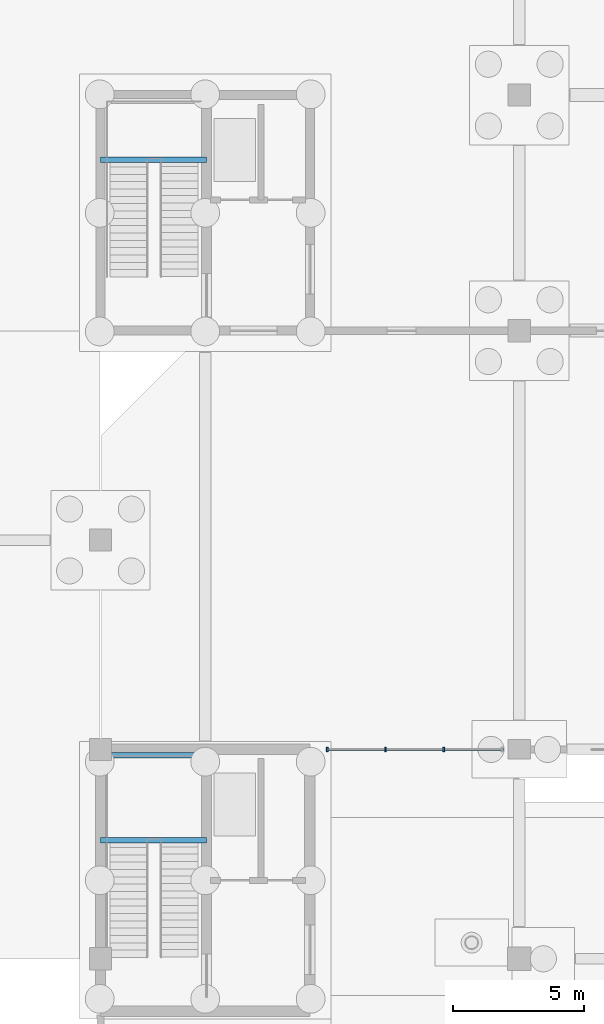
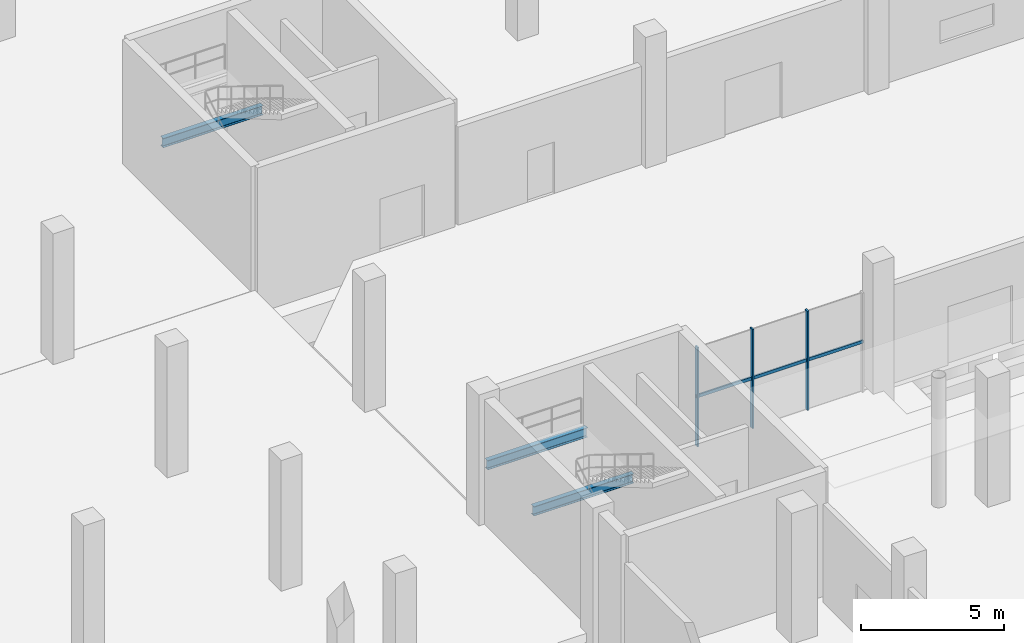
# One storey, part 42 of 98: 4 members, 3 beams, 1 element without a shape of its own.
"""IFC4 building model written with IfcOpenShell, lengths in metres."""

from ifc_helpers import new_model, si_unit, derived_unit, direction, frame, origin, origin_2d, place, context, subcontext, project, spatial, rectangle, i_section, extrude, material, layer, layer_set, material_profile, profile_set, type_object, element, aggregate, save


model = new_model("IFC4")

# Units and contexts
model_context = context("Model", 3, precision=1e-05, world=origin(), true_north=direction((0.0, 1.0)))
body_context = subcontext(model_context, "Body", "Model", "MODEL_VIEW")
ifc_project = project(units=[si_unit("LENGTHUNIT", "METRE"), si_unit("AREAUNIT", "SQUARE_METRE"), si_unit("VOLUMEUNIT", "CUBIC_METRE"), si_unit("PLANEANGLEUNIT", "RADIAN"), si_unit("MASSUNIT", "GRAM", prefix="KILO"), si_unit("THERMODYNAMICTEMPERATUREUNIT", "KELVIN"), derived_unit("THERMALTRANSMITTANCEUNIT", [(si_unit("POWERUNIT", "WATT"), 1), (si_unit("AREAUNIT", "SQUARE_METRE"), -1), (si_unit("THERMODYNAMICTEMPERATUREUNIT", "KELVIN"), -1)])], contexts=[model_context])

# Site, building, storey
site_placement = place(None, origin())
site = spatial("IfcSite", under=ifc_project, at=site_placement, CompositionType="ELEMENT")
building_placement = place(site_placement, origin())
building = spatial("IfcBuilding", under=site, at=building_placement, Name="Haiyu Intermodal Mobility Hub", CompositionType="ELEMENT")
storey_placement = place(building_placement, origin())
storey = spatial("IfcBuildingStorey", under=building, at=storey_placement, Name="L00", CompositionType="ELEMENT", Elevation=0.0)

# Beams
ifc_material_1 = material(Name="Steel Q355C", Category="steel")
ifc_material_profile_1 = material_profile(ifc_material_1, i_section(OverallWidth=0.199951171875, OverallDepth=0.39990234375, WebThickness=0.008056640625, FlangeThickness=0.012939453125, FilletRadius=0.01611328125, at=origin_2d()), Name="HN400x200x8x13")
ifc_profile_set_1 = profile_set([ifc_material_profile_1], Name="Steel Q355C")
beam_type = type_object("IfcBeamType", Name="BM-SB08", PredefinedType="JOIST", material=ifc_profile_set_1)
for number, where, z_axis, x_axis, name in (
    (1, (62.0, 84.530029296875, 2.375), (1.0, 0.0, 0.0), (0.0, 1.0, 0.0), "Stair Half-Landing Front Beam C1-L00"),
    (2, (62.0, 87.780029296875, 2.375), (1.0, 0.0, 0.0), (0.0, 1.0, 0.0), "Stair Half-Landing Rear Beam C1-L00"),
    (3, (62.0, 110.530029296875, 2.375), (1.0, 0.0, 0.0), (0.0, 1.0, 0.0), "Stair Half-Landing Front Beam C5-L00"),
):
    element("IfcBeam", number, at=place(storey_placement, frame(where, z_axis=z_axis, x_axis=x_axis)), inside=storey, type_object=beam_type, Name=name, PredefinedType="JOIST", context=body_context, shape_type="SweptSolid", body=[
        extrude(i_section(OverallWidth=0.199951171875, OverallDepth=0.39990234375, WebThickness=0.008056640625, FlangeThickness=0.012939453125, FilletRadius=0.01611328125, at=origin_2d()), origin(), (0.0, 0.0, 1.0), 4.050048828125),
    ])

# Curtain wall, members
ifc_material_2 = material(Name="Low-e laminated insulating glass", Category="glass")
ifc_layer = layer(ifc_material_2, 0.25)
ifc_layer_set = layer_set([ifc_layer], Name="Low-e laminated insulating glass")
curtain_wall_type = type_object("IfcCurtainWallType", Name="CW-CW02", PredefinedType="NOTDEFINED", material=ifc_layer_set)
curtain_wall_placement = place(storey_placement, origin())
curtain_wall = element("IfcCurtainWall", 4, at=curtain_wall_placement, inside=storey, type_object=curtain_wall_type, Name="Curtain Wall CW-V1N-L00-021", PredefinedType="NOTDEFINED")
ifc_material_3 = material(Name="Anodised aluminium 6063-T6", Category="aluminium")
ifc_material_profile_2 = material_profile(ifc_material_3, rectangle(XDim=0.06494140625, YDim=0.1650390625, at=origin_2d()), Name="ALU65x165")
ifc_profile_set_2 = profile_set([ifc_material_profile_2], Name="Anodised aluminium 6063-T6")
member_type_1 = type_object("IfcMemberType", Name="CWM-ML02", PredefinedType="MULLION", material=ifc_profile_set_2)
member_1_placement = place(storey_placement, frame((75.113037109375, 88.0, 0.0), z_axis=(0.0, 0.0, 1.0), x_axis=(1.0, 0.0, 0.0)))
member_1 = element("IfcMember", 5, at=member_1_placement, type_object=member_type_1, Name="CW-V1N-L00-021-ML02", PredefinedType="MULLION", context=body_context, shape_type="SweptSolid", body=[
    extrude(rectangle(XDim=0.06494140625, YDim=0.1650390625, at=origin_2d()), origin(), (0.0, 0.0, 1.0), 4.25),
])
member_2_placement = place(storey_placement, frame((72.886962890625, 88.0, 0.0), z_axis=(0.0, 0.0, 1.0), x_axis=(1.0, 0.0, 0.0)))
member_2 = element("IfcMember", 6, at=member_2_placement, type_object=member_type_1, Name="CW-V1N-L00-021-ML03", PredefinedType="MULLION", context=body_context, shape_type="SweptSolid", body=[
    extrude(rectangle(XDim=0.06494140625, YDim=0.1650390625, at=origin_2d()), origin(), (0.0, 0.0, 1.0), 4.25),
])
member_3_placement = place(storey_placement, frame((70.659912109375, 88.0, 0.0), z_axis=(0.0, 0.0, 1.0), x_axis=(1.0, 0.0, 0.0)))
member_3 = element("IfcMember", 7, at=member_3_placement, type_object=member_type_1, Name="CW-V1N-L00-021-ML04", PredefinedType="MULLION", context=body_context, shape_type="SweptSolid", body=[
    extrude(rectangle(XDim=0.06494140625, YDim=0.1650390625, at=origin_2d()), origin(), (0.0, 0.0, 1.0), 4.25),
])
ifc_material_profile_3 = material_profile(ifc_material_3, rectangle(XDim=0.06494140625, YDim=0.135009765625, at=origin_2d()), Name="ALU65x135")
ifc_profile_set_3 = profile_set([ifc_material_profile_3], Name="Anodised aluminium 6063-T6")
member_type_2 = type_object("IfcMemberType", Name="CWM-TR02", PredefinedType="USERDEFINED", material=ifc_profile_set_3)
member_4_placement = place(storey_placement, frame((77.3798828125, 88.0, 2.125), z_axis=(-1.0, 0.0, 0.0), x_axis=(0.0, -1.0, 0.0)))
member_4 = element("IfcMember", 8, at=member_4_placement, type_object=member_type_2, Name="CW-V1N-L00-021-TR01", ObjectType="TRANSOM", PredefinedType="USERDEFINED", context=body_context, shape_type="SweptSolid", body=[
    extrude(rectangle(XDim=0.06494140625, YDim=0.135009765625, at=origin_2d()), origin(), (0.0, 0.0, 1.0), 6.759765625),
])
aggregate(curtain_wall, [member_1, member_2, member_3, member_4])

save(model, "model.ifc")
